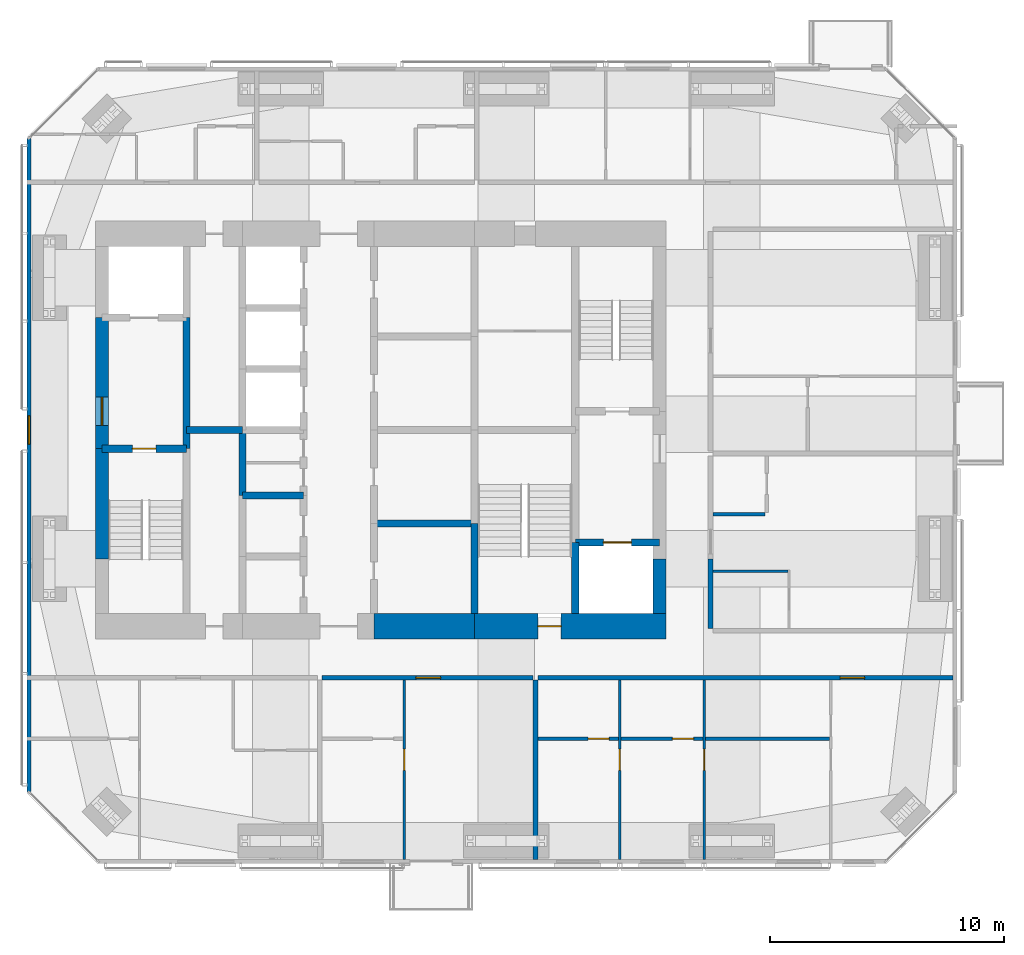
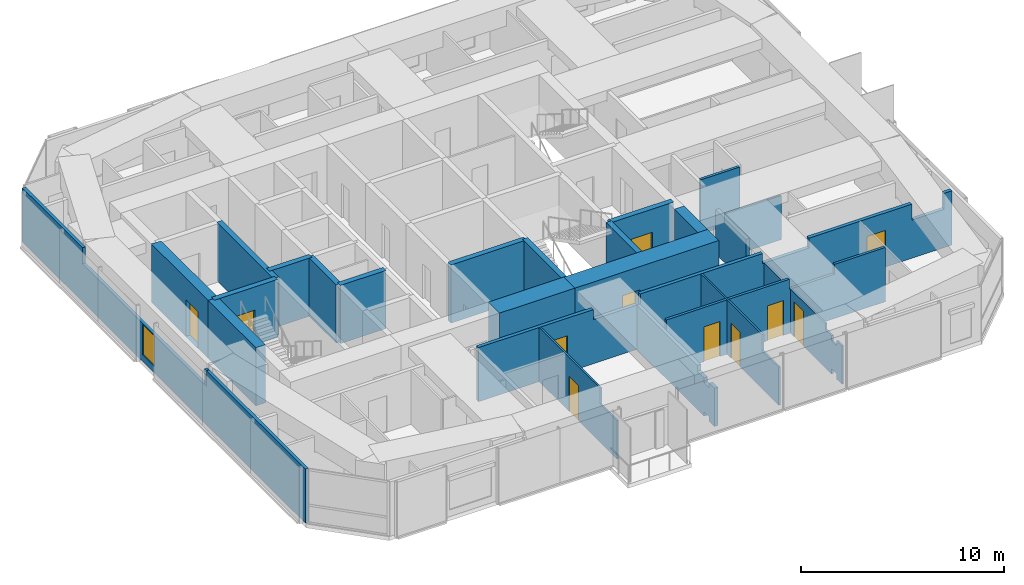
# One storey, part 13 of 18: 27 walls, 11 doors, 1 window, 12 openings.
"""IFC4 building model written with IfcOpenShell, lengths in metres."""

from ifc_helpers import new_model, si_unit, direction, frame, frame_2d, origin, place, context, subcontext, project, spatial, polyline, rectangle, outline, extrude, material, layer, layer_set, constituent, constituent_set, type_object, element, fill, save


model = new_model("IFC4")

# Units and contexts
model_context = context("Model", 3, precision=1e-05, world=origin(), true_north=direction((0.0, 1.0)))
body_context = subcontext(model_context, "Body", "Model", "MODEL_VIEW")
ifc_project = project(units=[si_unit("LENGTHUNIT", "METRE"), si_unit("AREAUNIT", "SQUARE_METRE"), si_unit("VOLUMEUNIT", "CUBIC_METRE"), si_unit("PLANEANGLEUNIT", "RADIAN"), si_unit("MASSUNIT", "GRAM", prefix="KILO")], contexts=[model_context])

# Site, building, storey
site_placement = place(None, origin())
site = spatial("IfcSite", under=ifc_project, at=site_placement, CompositionType="ELEMENT")
building_placement = place(site_placement, origin())
building = spatial("IfcBuilding", under=site, at=building_placement, Name="Jalousie Tower", CompositionType="ELEMENT")
storey_placement = place(building_placement, frame((0.0, 0.0, 231.949951171875)))
storey = spatial("IfcBuildingStorey", under=building, at=storey_placement, Name="L63", CompositionType="ELEMENT", Elevation=231.949951171875)

# Wall, opening, door
ifc_material_1 = material(Name="Concrete block ASTM C90", Category="concrete")
ifc_constituent_1 = constituent(ifc_material_1, Name="Body")
ifc_material_2 = material(Name="Render")
ifc_constituent_2 = constituent(ifc_material_2, Name="Finish")
ifc_constituent_set_1 = constituent_set(constituents=[ifc_constituent_1, ifc_constituent_2])
wall_type_1 = type_object("IfcWallType", Name="BATHROOM WALL 150", PredefinedType="PLUMBINGWALL", material=ifc_constituent_set_1)
wall_1_placement = place(storey_placement, frame((38.60009765625, 5.324951171875, 0.0), z_axis=(0.0, 0.0, 1.0), x_axis=(1.0, 0.0, 0.0)))
wall_1 = element("IfcWall", 1, at=wall_1_placement, inside=storey, type_object=wall_type_1, Name="Bathroom Wall 150 L63", PredefinedType="PLUMBINGWALL", context=body_context, shape_type="SweptSolid", body=[
    extrude(rectangle(XDim=3.449951171875, YDim=0.14990234375, at=frame_2d((1.72509765625, 0.0))), origin(), (0.0, 0.0, 1.0), 3.260009765625),
])
opening_1_placement = place(wall_1_placement, frame((2.14990234375, 0.0, 0.0)))
opening_1 = element("IfcOpeningElement", 2, at=opening_1_placement, cuts=wall_1, Name="Opening D3", PredefinedType="OPENING", context=body_context, shape_type="SweptSolid", body=[
    extrude(rectangle(XDim=0.89990234375, YDim=2.10009765625, at=frame_2d((0.449951171875, 1.050048828125))), frame((0.0, 0.0849609375, 0.0), z_axis=(0.0, -1.0, 0.0), x_axis=(1.0, 0.0, 0.0)), (0.0, 0.0, 1.0), 0.169921875),
])
ifc_material_3 = material(Name="Timber door", Category="wood")
door_type_1 = type_object("IfcDoorType", Name="BATHROOM DOOR 900", OperationType="SINGLE_SWING_LEFT", PredefinedType="DOOR", material=ifc_material_3)
door_1_placement = place(opening_1_placement, origin())
door_1 = element("IfcDoor", 3, at=door_1_placement, inside=storey, type_object=door_type_1, Name="Apartment 6303 bedroom 1 bathroom door", OperationType="SINGLE_SWING_RIGHT", OverallHeight=2.10009765625, OverallWidth=0.89990234375, PredefinedType="DOOR", context=body_context, shape_type="SweptSolid", body=[
    extrude(rectangle(XDim=0.89990234375, YDim=2.10009765625, at=frame_2d((0.449951171875, 1.050048828125))), frame((0.0, 0.02490234375, 0.0), z_axis=(0.0, -1.0, 0.0), x_axis=(1.0, 0.0, 0.0)), (0.0, 0.0, 1.0), 0.050048828125),
])
fill(opening_1, door_1)

wall_2_placement = place(storey_placement, frame((42.14990234375, 5.324951171875, 0.0), z_axis=(0.0, 0.0, 1.0), x_axis=(1.0, 0.0, 0.0)))
wall_2 = element("IfcWall", 4, at=wall_2_placement, inside=storey, type_object=wall_type_1, Name="Bathroom Wall 150 L63", PredefinedType="PLUMBINGWALL", context=body_context, shape_type="SweptSolid", body=[
    extrude(outline(polyline([(0.0, 0.0), (3.5, 0.0), (3.5, 3.260009765625), (3.5, 2.66015625), (3.43994140625, 2.66015625), (3.43994140625, 3.260009765625), (0.0, 3.260009765625), (0.0, 0.0)])), frame((0.0, 0.074951171875, 0.0), z_axis=(0.0, -1.0, 0.0), x_axis=(1.0, 0.0, 0.0)), (0.0, 0.0, 1.0), 0.14990234375),
])
opening_2_placement = place(wall_2_placement, frame((2.199951171875, 0.0, 0.0)))
opening_2 = element("IfcOpeningElement", 5, at=opening_2_placement, cuts=wall_2, Name="Opening D3", PredefinedType="OPENING", context=body_context, shape_type="SweptSolid", body=[
    extrude(rectangle(XDim=0.89990234375, YDim=2.10009765625, at=frame_2d((0.449951171875, 1.050048828125))), frame((0.0, 0.0849609375, 0.0), z_axis=(0.0, -1.0, 0.0), x_axis=(1.0, 0.0, 0.0)), (0.0, 0.0, 1.0), 0.169921875),
])
door_2_placement = place(opening_2_placement, origin())
door_2 = element("IfcDoor", 6, at=door_2_placement, inside=storey, type_object=door_type_1, Name="Apartment 6303 bedroom 2 bathroom door", OperationType="SINGLE_SWING_RIGHT", OverallHeight=2.10009765625, OverallWidth=0.89990234375, PredefinedType="DOOR", context=body_context, shape_type="SweptSolid", body=[
    extrude(rectangle(XDim=0.89990234375, YDim=2.10009765625, at=frame_2d((0.449951171875, 1.050048828125))), frame((0.0, 0.02490234375, 0.0), z_axis=(0.0, -1.0, 0.0), x_axis=(1.0, 0.0, 0.0)), (0.0, 0.0, 1.0), 0.050048828125),
])
fill(opening_2, door_2)

# Walls
wall_3_placement = place(storey_placement, frame((45.75, 5.324951171875, 0.0), z_axis=(0.0, 0.0, 1.0), x_axis=(1.0, 0.0, 0.0)))
element("IfcWall", 7, at=wall_3_placement, inside=storey, type_object=wall_type_1, Name="Bathroom Wall 150 L63", PredefinedType="PLUMBINGWALL", context=body_context, shape_type="SweptSolid", body=[
    extrude(outline(polyline([(0.0, 0.0), (5.300048828125, 0.0), (5.300048828125, 3.260009765625), (2.409912109375, 3.260009765625), (2.409912109375, 2.66015625), (0.0, 2.66015625), (0.0, 3.260009765625), (0.0, 0.0)])), frame((0.0, 0.074951171875, 0.0), z_axis=(0.0, -1.0, 0.0), x_axis=(1.0, 0.0, 0.0)), (0.0, 0.0, 1.0), 0.14990234375),
])
wall_4_placement = place(storey_placement, frame((48.300048828125, 14.89990234375, 0.0), z_axis=(0.0, 0.0, 1.0), x_axis=(-1.0, 0.0, 0.0)))
element("IfcWall", 8, at=wall_4_placement, inside=storey, type_object=wall_type_1, Name="Bathroom Wall 150 L63", PredefinedType="PLUMBINGWALL", context=body_context, shape_type="SweptSolid", body=[
    extrude(rectangle(XDim=2.22509765625, YDim=0.14990234375, at=frame_2d((1.112548828125, 0.0))), origin(), (0.0, 0.0, 1.0), 3.260009765625),
])
ifc_material_4 = material(Name="Concrete f'c 120 MPa", Category="concrete")
ifc_layer_1 = layer(ifc_material_4, 1.10009765625)
ifc_layer_set_1 = layer_set([ifc_layer_1], Name="Concrete f'c 120 MPa")
wall_type_2 = type_object("IfcWallType", Name="CORE WALL 1100", PredefinedType="SHEAR", material=ifc_layer_set_1)
wall_5_placement = place(storey_placement, frame((31.60009765625, 10.125, 0.0), z_axis=(0.0, 0.0, 1.0), x_axis=(1.0, 0.0, 0.0)))
element("IfcWall", 9, at=wall_5_placement, inside=storey, type_object=wall_type_2, Name="Core wall SC L63", PredefinedType="SHEAR", context=body_context, shape_type="SweptSolid", body=[
    extrude(rectangle(XDim=4.2998046875, YDim=1.10009765625, at=frame_2d((2.14990234375, 0.0))), origin(), (0.0, 0.0, 1.0), 3.5),
])

# Wall, opening, door
wall_6_placement = place(storey_placement, frame((35.89990234375, 10.125, 0.0), z_axis=(0.0, 0.0, 1.0), x_axis=(1.0, 0.0, 0.0)))
wall_6 = element("IfcWall", 10, at=wall_6_placement, inside=storey, type_object=wall_type_2, Name="Core wall SD L63", PredefinedType="SHEAR", context=body_context, shape_type="SweptSolid", body=[
    extrude(rectangle(XDim=8.175048828125, YDim=1.10009765625, at=frame_2d((4.08740234375, 0.0))), origin(), (0.0, 0.0, 1.0), 3.5),
])
opening_3_placement = place(wall_6_placement, frame((2.699951171875, 0.0, 0.0)))
opening_3 = element("IfcOpeningElement", 11, at=opening_3_placement, cuts=wall_6, Name="Opening D10", PredefinedType="OPENING", context=body_context, shape_type="SweptSolid", body=[
    extrude(rectangle(XDim=1.0, YDim=2.10009765625, at=frame_2d((0.5, 1.050048828125))), frame((0.0, 0.56005859375, 0.0), z_axis=(0.0, -1.0, 0.0), x_axis=(1.0, 0.0, 0.0)), (0.0, 0.0, 1.0), 1.1201171875),
])
ifc_material_5 = material(Name="Steel fire door", Category="steel")
door_type_2 = type_object("IfcDoorType", Name="STAIR DOOR 1000", OperationType="SINGLE_SWING_LEFT", PredefinedType="DOOR", material=ifc_material_5)
door_3_placement = place(opening_3_placement, origin())
door_3 = element("IfcDoor", 12, at=door_3_placement, inside=storey, type_object=door_type_2, Name="Exit stair C door", OperationType="SINGLE_SWING_RIGHT", OverallHeight=2.10009765625, OverallWidth=1.0, PredefinedType="DOOR", context=body_context, shape_type="SweptSolid", body=[
    extrude(rectangle(XDim=1.0, YDim=2.10009765625, at=frame_2d((0.5, 1.050048828125))), frame((0.0, 0.02490234375, 0.0), z_axis=(0.0, -1.0, 0.0), x_axis=(1.0, 0.0, 0.0)), (0.0, 0.0, 1.0), 0.050048828125),
])
fill(opening_3, door_3)

# Walls
ifc_material_6 = material(Name="Concrete f'c 120 MPa", Category="concrete")
ifc_layer_2 = layer(ifc_material_6, 0.300048828125)
ifc_layer_set_2 = layer_set([ifc_layer_2], Name="Concrete f'c 120 MPa")
wall_type_3 = type_object("IfcWallType", Name="CORE WALL 300", PredefinedType="SHEAR", material=ifc_layer_set_2)
wall_7_placement = place(storey_placement, frame((23.60009765625, 17.699951171875, 0.0), z_axis=(0.0, 0.0, 1.0), x_axis=(0.0, 1.0, 0.0)))
element("IfcWall", 13, at=wall_7_placement, inside=storey, type_object=wall_type_3, Name="Core wall X23.6B L63", PredefinedType="SHEAR", context=body_context, shape_type="SweptSolid", body=[
    extrude(rectangle(XDim=5.60009765625, YDim=0.300048828125, at=frame_2d((2.800048828125, 0.0))), origin(), (0.0, 0.0, 1.0), 3.5),
])
wall_8_placement = place(storey_placement, frame((26.0, 15.699951171875, 0.0), z_axis=(0.0, 0.0, 1.0), x_axis=(0.0, 1.0, 0.0)))
element("IfcWall", 14, at=wall_8_placement, inside=storey, type_object=wall_type_3, Name="Core wall X26C L63", PredefinedType="SHEAR", context=body_context, shape_type="SweptSolid", body=[
    extrude(rectangle(XDim=2.800048828125, YDim=0.300048828125, at=frame_2d((1.39990234375, 0.0))), origin(), (0.0, 0.0, 1.0), 3.5),
])
wall_9_placement = place(storey_placement, frame((35.89990234375, 10.675048828125, 0.0), z_axis=(0.0, 0.0, 1.0), x_axis=(0.0, 1.0, 0.0)))
element("IfcWall", 15, at=wall_9_placement, inside=storey, type_object=wall_type_3, Name="Core wall X35.9A L63", PredefinedType="SHEAR", context=body_context, shape_type="SweptSolid", body=[
    extrude(rectangle(XDim=3.824951171875, YDim=0.300048828125, at=frame_2d((1.91259765625, 0.0))), origin(), (0.0, 0.0, 1.0), 3.5),
])
wall_10_placement = place(storey_placement, frame((40.199951171875, 10.675048828125, 0.0), z_axis=(0.0, 0.0, 1.0), x_axis=(0.0, 1.0, 0.0)))
element("IfcWall", 16, at=wall_10_placement, inside=storey, type_object=wall_type_3, Name="Core wall X40.2A L63", PredefinedType="SHEAR", context=body_context, shape_type="SweptSolid", body=[
    extrude(rectangle(XDim=3.02490234375, YDim=0.300048828125, at=frame_2d((1.512451171875, 0.0))), origin(), (0.0, 0.0, 1.0), 3.5),
])

# Wall, opening, door
wall_11_placement = place(storey_placement, frame((20.0, 17.699951171875, 0.0), z_axis=(0.0, 0.0, 1.0), x_axis=(1.0, 0.0, 0.0)))
wall_11 = element("IfcWall", 17, at=wall_11_placement, inside=storey, type_object=wall_type_3, Name="Core wall Y20-17.7 L63", PredefinedType="SHEAR", context=body_context, shape_type="SweptSolid", body=[
    extrude(rectangle(XDim=3.60009765625, YDim=0.300048828125, at=frame_2d((1.800048828125, 0.0))), origin(), (0.0, 0.0, 1.0), 3.5),
])
opening_4_placement = place(wall_11_placement, frame((1.300048828125, 0.0, 0.0)))
opening_4 = element("IfcOpeningElement", 18, at=opening_4_placement, cuts=wall_11, Name="Opening D10", PredefinedType="OPENING", context=body_context, shape_type="SweptSolid", body=[
    extrude(rectangle(XDim=1.0, YDim=2.10009765625, at=frame_2d((0.5, 1.050048828125))), frame((0.0, 0.159912109375, 0.0), z_axis=(0.0, -1.0, 0.0), x_axis=(1.0, 0.0, 0.0)), (0.0, 0.0, 1.0), 0.320068359375),
])
door_4_placement = place(opening_4_placement, frame((1.0, 0.0, 0.0), z_axis=(0.0, 0.0, 1.0), x_axis=(-1.0, 0.0, 0.0)))
door_4 = element("IfcDoor", 19, at=door_4_placement, inside=storey, type_object=door_type_2, Name="Exit stair A door", OperationType="SINGLE_SWING_RIGHT", OverallHeight=2.10009765625, OverallWidth=1.0, PredefinedType="DOOR", context=body_context, shape_type="SweptSolid", body=[
    extrude(rectangle(XDim=1.0, YDim=2.10009765625, at=frame_2d((0.5, 1.050048828125))), frame((0.0, 0.02490234375, 0.0), z_axis=(0.0, -1.0, 0.0), x_axis=(1.0, 0.0, 0.0)), (0.0, 0.0, 1.0), 0.050048828125),
])
fill(opening_4, door_4)

# Walls
wall_12_placement = place(storey_placement, frame((23.60009765625, 18.5, 0.0), z_axis=(0.0, 0.0, 1.0), x_axis=(1.0, 0.0, 0.0)))
element("IfcWall", 20, at=wall_12_placement, inside=storey, type_object=wall_type_3, Name="Core wall Y23.6-18.5 L63", PredefinedType="SHEAR", context=body_context, shape_type="SweptSolid", body=[
    extrude(rectangle(XDim=2.39990234375, YDim=0.300048828125, at=frame_2d((1.199951171875, 0.0))), origin(), (0.0, 0.0, 1.0), 3.5),
])
wall_13_placement = place(storey_placement, frame((26.0, 15.699951171875, 0.0), z_axis=(0.0, 0.0, 1.0), x_axis=(1.0, 0.0, 0.0)))
element("IfcWall", 21, at=wall_13_placement, inside=storey, type_object=wall_type_3, Name="Core wall Y26-15.7 L63", PredefinedType="SHEAR", context=body_context, shape_type="SweptSolid", body=[
    extrude(rectangle(XDim=2.60009765625, YDim=0.300048828125, at=frame_2d((1.300048828125, 0.0))), origin(), (0.0, 0.0, 1.0), 3.5),
])
wall_14_placement = place(storey_placement, frame((31.60009765625, 14.5, 0.0), z_axis=(0.0, 0.0, 1.0), x_axis=(1.0, 0.0, 0.0)))
element("IfcWall", 22, at=wall_14_placement, inside=storey, type_object=wall_type_3, Name="Core wall Y31.6-14.5 L63", PredefinedType="SHEAR", context=body_context, shape_type="SweptSolid", body=[
    extrude(rectangle(XDim=4.2998046875, YDim=0.300048828125, at=frame_2d((2.14990234375, 0.0))), origin(), (0.0, 0.0, 1.0), 3.5),
])

# Wall, opening, door
wall_15_placement = place(storey_placement, frame((40.199951171875, 13.699951171875, 0.0), z_axis=(0.0, 0.0, 1.0), x_axis=(1.0, 0.0, 0.0)))
wall_15 = element("IfcWall", 23, at=wall_15_placement, inside=storey, type_object=wall_type_3, Name="Core wall Y40.2-13.7 L63", PredefinedType="SHEAR", context=body_context, shape_type="SweptSolid", body=[
    extrude(rectangle(XDim=3.60009765625, YDim=0.300048828125, at=frame_2d((1.800048828125, 0.0))), origin(), (0.0, 0.0, 1.0), 3.5),
])
opening_5_placement = place(wall_15_placement, frame((1.199951171875, 0.0, 0.0)))
opening_5 = element("IfcOpeningElement", 24, at=opening_5_placement, cuts=wall_15, Name="Opening LD2", PredefinedType="OPENING", context=body_context, shape_type="SweptSolid", body=[
    extrude(rectangle(XDim=1.199951171875, YDim=2.10009765625, at=frame_2d((0.60009765625, 1.050048828125))), frame((0.0, 0.159912109375, 0.0), z_axis=(0.0, -1.0, 0.0), x_axis=(1.0, 0.0, 0.0)), (0.0, 0.0, 1.0), 0.320068359375),
])
ifc_material_7 = material(Name="Steel lift landing door", Category="steel")
door_type_3 = type_object("IfcDoorType", Name="LIFT LANDING DOOR 1200", OperationType="SLIDING_TO_LEFT", PredefinedType="DOOR", material=ifc_material_7)
door_5_placement = place(opening_5_placement, origin())
door_5 = element("IfcDoor", 25, at=door_5_placement, inside=storey, type_object=door_type_3, Name="Lift F2 landing door", OperationType="SLIDING_TO_LEFT", OverallHeight=2.10009765625, OverallWidth=1.199951171875, PredefinedType="DOOR", context=body_context, shape_type="SweptSolid", body=[
    extrude(rectangle(XDim=1.199951171875, YDim=2.10009765625, at=frame_2d((0.60009765625, 1.050048828125))), frame((0.0, 0.02490234375, 0.0), z_axis=(0.0, -1.0, 0.0), x_axis=(1.0, 0.0, 0.0)), (0.0, 0.0, 1.0), 0.050048828125),
])
fill(opening_5, door_5)

ifc_material_8 = material(Name="Concrete f'c 120 MPa", Category="concrete")
ifc_layer_3 = layer(ifc_material_8, 0.550048828125)
ifc_layer_set_3 = layer_set([ifc_layer_3], Name="Concrete f'c 120 MPa")
wall_type_4 = type_object("IfcWallType", Name="CORE WALL 550", PredefinedType="SHEAR", material=ifc_layer_set_3)
wall_16_placement = place(storey_placement, frame((20.0, 23.300048828125, 0.0), z_axis=(0.0, 0.0, 1.0), x_axis=(0.0, -1.0, 0.0)))
wall_16 = element("IfcWall", 26, at=wall_16_placement, inside=storey, type_object=wall_type_4, Name="Core wall WB L63", PredefinedType="SHEAR", context=body_context, shape_type="SweptSolid", body=[
    extrude(rectangle(XDim=5.60009765625, YDim=0.550048828125, at=frame_2d((2.800048828125, 0.0))), origin(), (0.0, 0.0, 1.0), 3.5),
])
opening_6_placement = place(wall_16_placement, frame((3.39990234375, 0.0, 0.0)))
opening_6 = element("IfcOpeningElement", 27, at=opening_6_placement, cuts=wall_16, Name="Opening D11", PredefinedType="OPENING", context=body_context, shape_type="SweptSolid", body=[
    extrude(rectangle(XDim=1.199951171875, YDim=2.199951171875, at=frame_2d((0.60009765625, 1.10009765625))), frame((0.0, 0.284912109375, 0.0), z_axis=(0.0, -1.0, 0.0), x_axis=(1.0, 0.0, 0.0)), (0.0, 0.0, 1.0), 0.570068359375),
])
ifc_material_9 = material(Name="Steel fire door", Category="steel")
door_type_4 = type_object("IfcDoorType", Name="FIRE DOOR 1200", OperationType="SINGLE_SWING_LEFT", PredefinedType="DOOR", material=ifc_material_9)
door_6_placement = place(opening_6_placement, origin())
door_6 = element("IfcDoor", 28, at=door_6_placement, inside=storey, type_object=door_type_4, Name="Fire-fighting lobby A door", OperationType="SINGLE_SWING_RIGHT", OverallHeight=2.199951171875, OverallWidth=1.199951171875, PredefinedType="DOOR", context=body_context, shape_type="SweptSolid", body=[
    extrude(rectangle(XDim=1.199951171875, YDim=2.199951171875, at=frame_2d((0.60009765625, 1.10009765625))), frame((0.0, 0.02490234375, 0.0), z_axis=(0.0, -1.0, 0.0), x_axis=(1.0, 0.0, 0.0)), (0.0, 0.0, 1.0), 0.050048828125),
])
fill(opening_6, door_6)

# Walls
wall_17_placement = place(storey_placement, frame((20.0, 17.699951171875, 0.0), z_axis=(0.0, 0.0, 1.0), x_axis=(0.0, -1.0, 0.0)))
element("IfcWall", 29, at=wall_17_placement, inside=storey, type_object=wall_type_4, Name="Core wall WC L63", PredefinedType="SHEAR", context=body_context, shape_type="SweptSolid", body=[
    extrude(rectangle(XDim=4.699951171875, YDim=0.550048828125, at=frame_2d((2.35009765625, 0.0))), origin(), (0.0, 0.0, 1.0), 3.5),
])
wall_18_placement = place(storey_placement, frame((43.800048828125, 10.675048828125, 0.0), z_axis=(0.0, 0.0, 1.0), x_axis=(0.0, 1.0, 0.0)))
element("IfcWall", 30, at=wall_18_placement, inside=storey, type_object=wall_type_4, Name="Core wall EA L63", PredefinedType="SHEAR", context=body_context, shape_type="SweptSolid", body=[
    extrude(rectangle(XDim=2.324951171875, YDim=0.550048828125, at=frame_2d((1.16259765625, 0.0))), origin(), (0.0, 0.0, 1.0), 3.5),
])

# Wall, opening, door
ifc_material_10 = material(Name="Concrete block ASTM C90", Category="concrete")
ifc_constituent_3 = constituent(ifc_material_10, Name="Body")
ifc_material_11 = material(Name="Render")
ifc_constituent_4 = constituent(ifc_material_11, Name="Finish")
ifc_constituent_set_2 = constituent_set(constituents=[ifc_constituent_3, ifc_constituent_4])
wall_type_5 = type_object("IfcWallType", Name="CORRIDOR WALL 200", PredefinedType="PARTITIONING", material=ifc_constituent_set_2)
wall_19_placement = place(storey_placement, frame((29.39990234375, 7.925048828125, 0.0), z_axis=(0.0, 0.0, 1.0), x_axis=(1.0, 0.0, 0.0)))
wall_19 = element("IfcWall", 31, at=wall_19_placement, inside=storey, type_object=wall_type_5, Name="Corridor Wall 200 L63", PredefinedType="PARTITIONING", context=body_context, shape_type="SweptSolid", body=[
    extrude(outline(polyline([(0.0, 0.0), (9.0, 0.0), (9.0, 3.260009765625), (9.0, 2.66015625), (6.5400390625, 2.66015625), (6.5400390625, 3.260009765625), (0.0, 3.260009765625), (0.0, 0.0)])), frame((0.0, 0.10009765625, 0.0), z_axis=(0.0, -1.0, 0.0), x_axis=(1.0, 0.0, 0.0)), (0.0, 0.0, 1.0), 0.199951171875),
])
opening_7_placement = place(wall_19_placement, frame((4.0, 0.0, 0.0)))
opening_7 = element("IfcOpeningElement", 32, at=opening_7_placement, cuts=wall_19, Name="Opening D1", PredefinedType="OPENING", context=body_context, shape_type="SweptSolid", body=[
    extrude(rectangle(XDim=1.050048828125, YDim=2.199951171875, at=frame_2d((0.52490234375, 1.10009765625))), frame((0.0, 0.10986328125, 0.0), z_axis=(0.0, -1.0, 0.0), x_axis=(1.0, 0.0, 0.0)), (0.0, 0.0, 1.0), 0.219970703125),
])
ifc_material_12 = material(Name="Timber fire door", Category="wood")
door_type_5 = type_object("IfcDoorType", Name="APARTMENT ENTRANCE DOOR 1050", OperationType="SINGLE_SWING_LEFT", PredefinedType="DOOR", material=ifc_material_12)
door_7_placement = place(opening_7_placement, frame((1.050048828125, 0.0, 0.0), z_axis=(0.0, 0.0, 1.0), x_axis=(-1.0, 0.0, 0.0)))
door_7 = element("IfcDoor", 33, at=door_7_placement, inside=storey, type_object=door_type_5, Name="Apartment 6302 entrance", OperationType="SINGLE_SWING_RIGHT", OverallHeight=2.199951171875, OverallWidth=1.050048828125, PredefinedType="DOOR", context=body_context, shape_type="SweptSolid", body=[
    extrude(rectangle(XDim=1.050048828125, YDim=2.199951171875, at=frame_2d((0.52490234375, 1.10009765625))), frame((0.0, 0.02490234375, 0.0), z_axis=(0.0, -1.0, 0.0), x_axis=(1.0, 0.0, 0.0)), (0.0, 0.0, 1.0), 0.050048828125),
])
fill(opening_7, door_7)

wall_20_placement = place(storey_placement, frame((38.60009765625, 7.925048828125, 0.0), z_axis=(0.0, 0.0, 1.0), x_axis=(1.0, 0.0, 0.0)))
wall_20 = element("IfcWall", 34, at=wall_20_placement, inside=storey, type_object=wall_type_5, Name="Corridor Wall 200 L63", PredefinedType="PARTITIONING", context=body_context, shape_type="SweptSolid", body=[
    extrude(outline(polyline([(0.0, 0.0), (17.724853515625, 0.0), (17.72509765625, 3.260009765625), (17.27490234375, 3.260009765625), (17.27490234375, 2.300048828125), (15.442626953125, 2.300048828125), (15.442626953125, 3.260009765625), (9.5849609375, 3.260009765625), (9.5849609375, 2.66015625), (6.965087890625, 2.66015625), (6.965087890625, 3.260009765625), (0.0, 3.260009765625), (0.0, 0.0)])), frame((0.0, 0.10009765625, 0.0), z_axis=(0.0, -1.0, 0.0), x_axis=(1.0, 0.0, 0.0)), (0.0, 0.0, 1.0), 0.199951171875),
])
opening_8_placement = place(wall_20_placement, frame((12.89990234375, 0.0, 0.0)))
opening_8 = element("IfcOpeningElement", 35, at=opening_8_placement, cuts=wall_20, Name="Opening D1", PredefinedType="OPENING", context=body_context, shape_type="SweptSolid", body=[
    extrude(rectangle(XDim=1.050048828125, YDim=2.199951171875, at=frame_2d((0.52490234375, 1.10009765625))), frame((0.0, 0.10986328125, 0.0), z_axis=(0.0, -1.0, 0.0), x_axis=(1.0, 0.0, 0.0)), (0.0, 0.0, 1.0), 0.219970703125),
])
door_8_placement = place(opening_8_placement, frame((1.050048828125, 0.0, 0.0), z_axis=(0.0, 0.0, 1.0), x_axis=(-1.0, 0.0, 0.0)))
door_8 = element("IfcDoor", 36, at=door_8_placement, inside=storey, type_object=door_type_5, Name="Apartment 6303 entrance", OperationType="SINGLE_SWING_RIGHT", OverallHeight=2.199951171875, OverallWidth=1.050048828125, PredefinedType="DOOR", context=body_context, shape_type="SweptSolid", body=[
    extrude(rectangle(XDim=1.050048828125, YDim=2.199951171875, at=frame_2d((0.52490234375, 1.10009765625))), frame((0.0, 0.02490234375, 0.0), z_axis=(0.0, -1.0, 0.0), x_axis=(1.0, 0.0, 0.0)), (0.0, 0.0, 1.0), 0.050048828125),
])
fill(opening_8, door_8)

# Wall
wall_21_placement = place(storey_placement, frame((45.97509765625, 10.02490234375, 0.0), z_axis=(0.0, 0.0, 1.0), x_axis=(0.0, 1.0, 0.0)))
element("IfcWall", 37, at=wall_21_placement, inside=storey, type_object=wall_type_5, Name="Corridor Wall 200 L63-A", PredefinedType="PARTITIONING", context=body_context, shape_type="SweptSolid", body=[
    extrude(rectangle(XDim=2.97509765625, YDim=0.199951171875, at=frame_2d((1.487548828125, 0.0))), origin(), (0.0, 0.0, 1.0), 2.66015625),
])

# Wall, opening, window
ifc_material_13 = material(Name="Concrete f'c 40 MPa", Category="concrete")
ifc_constituent_5 = constituent(ifc_material_13, Name="Body")
ifc_material_14 = material(Name="Render, pastel sky blue")
ifc_constituent_6 = constituent(ifc_material_14, Name="Finish")
ifc_constituent_set_3 = constituent_set(constituents=[ifc_constituent_5, ifc_constituent_6])
wall_type_6 = type_object("IfcWallType", Name="EXTERNAL WALL 175 SKY BLUE RENDER", PredefinedType="SOLIDWALL", material=ifc_constituent_set_3)
wall_22_placement = place(storey_placement, frame((16.887451171875, 30.94873046875, 0.0), z_axis=(0.0, 0.0, 1.0), x_axis=(0.0, -1.0, 0.0)))
wall_22 = element("IfcWall", 38, at=wall_22_placement, inside=storey, type_object=wall_type_6, Name="External Wall 175 Sky Blue Render L63", PredefinedType="SOLIDWALL", context=body_context, shape_type="SweptSolid", body=[
    extrude(outline(polyline([(0.0, 0.0), (27.8974609375, 0.0), (27.8974609375, 3.260009765625), (18.1484375, 3.260009765625), (18.1484375, 2.300048828125), (18.125, 2.300048828125), (18.125, 3.260009765625), (17.94873046875, 3.260009765625), (17.94873046875, 2.300048828125), (5.94873046875, 2.300048828125), (5.94873046875, 3.260009765625), (0.0, 3.260009765625), (0.0, 0.0)])), frame((0.0, 0.08740234375, 0.0), z_axis=(0.0, -1.0, 0.0), x_axis=(1.0, 0.0, 0.0)), (0.0, 0.0, 1.0), 0.175048828125),
])
opening_9_placement = place(wall_22_placement, frame((11.8486328125, 0.0, 0.39990234375)))
opening_9 = element("IfcOpeningElement", 39, at=opening_9_placement, cuts=wall_22, Name="Opening W-COR185", PredefinedType="OPENING", context=body_context, shape_type="SweptSolid", body=[
    extrude(rectangle(XDim=1.199951171875, YDim=1.85009765625, at=frame_2d((0.60009765625, 0.925048828125))), frame((0.0, 0.097412109375, 0.0), z_axis=(0.0, -1.0, 0.0), x_axis=(1.0, 0.0, 0.0)), (0.0, 0.0, 1.0), 0.195068359375),
])
ifc_material_15 = material(Name="Aluminium frame, impact-rated glazing", Category="aluminium")
window_type = type_object("IfcWindowType", Name="WINDOW COR 1200x1850", PartitioningType="SINGLE_PANEL", PredefinedType="WINDOW", material=ifc_material_15)
window_placement = place(opening_9_placement, origin())
window = element("IfcWindow", 40, at=window_placement, inside=storey, type_object=window_type, Name="Corridor window", OverallHeight=1.85009765625, OverallWidth=1.199951171875, PartitioningType="SINGLE_PANEL", PredefinedType="WINDOW", context=body_context, shape_type="SweptSolid", body=[
    extrude(rectangle(XDim=1.199951171875, YDim=1.85009765625, at=frame_2d((0.60009765625, 0.925048828125))), frame((0.0, 0.030029296875, 0.0), z_axis=(0.0, -1.0, 0.0), x_axis=(1.0, 0.0, 0.0)), (0.0, 0.0, 1.0), 0.06005859375),
])
fill(opening_9, window)

# Wall, opening, door
ifc_material_16 = material(Name="Gypsum board", Category="gypsum")
ifc_constituent_7 = constituent(ifc_material_16, Name="Body")
ifc_material_17 = material(Name="Light-gauge steel studs ASTM A653 SS Grade 33", Category="steel")
ifc_constituent_8 = constituent(ifc_material_17, Name="Framing")
ifc_constituent_set_4 = constituent_set(constituents=[ifc_constituent_7, ifc_constituent_8])
wall_type_7 = type_object("IfcWallType", Name="PARTITION 100", PredefinedType="PARTITIONING", material=ifc_constituent_set_4)
wall_23_placement = place(storey_placement, frame((32.89990234375, 0.175048828125, 0.0), z_axis=(0.0, 0.0, 1.0), x_axis=(0.0, 1.0, 0.0)))
wall_23 = element("IfcWall", 41, at=wall_23_placement, inside=storey, type_object=wall_type_7, Name="Partition 100 L63", PredefinedType="PARTITIONING", context=body_context, shape_type="SweptSolid", body=[
    extrude(outline(polyline([(0.0, 0.0), (7.64990234375, 0.0), (7.64990234375, 3.260009765625), (1.635009765625, 3.260009765625), (1.635009765625, 2.300048828125), (0.0, 2.300048828125), (0.0, 3.260009765625), (0.0, 0.0)])), frame((0.0, 0.050048828125, 0.0), z_axis=(0.0, -1.0, 0.0), x_axis=(1.0, 0.0, 0.0)), (0.0, 0.0, 1.0), 0.10009765625),
])
opening_10_placement = place(wall_23_placement, frame((3.800048828125, 0.0, 0.0)))
opening_10 = element("IfcOpeningElement", 42, at=opening_10_placement, cuts=wall_23, Name="Opening D2", PredefinedType="OPENING", context=body_context, shape_type="SweptSolid", body=[
    extrude(rectangle(XDim=0.89990234375, YDim=2.10009765625, at=frame_2d((0.449951171875, 1.050048828125))), frame((0.0, 0.06005859375, 0.0), z_axis=(0.0, -1.0, 0.0), x_axis=(1.0, 0.0, 0.0)), (0.0, 0.0, 1.0), 0.1201171875),
])
ifc_material_18 = material(Name="Timber door", Category="wood")
door_type_6 = type_object("IfcDoorType", Name="BEDROOM DOOR 900", OperationType="SINGLE_SWING_LEFT", PredefinedType="DOOR", material=ifc_material_18)
door_9_placement = place(opening_10_placement, origin())
door_9 = element("IfcDoor", 43, at=door_9_placement, inside=storey, type_object=door_type_6, Name="Apartment 6302 bedroom 1 door", OperationType="SINGLE_SWING_RIGHT", OverallHeight=2.10009765625, OverallWidth=0.89990234375, PredefinedType="DOOR", context=body_context, shape_type="SweptSolid", body=[
    extrude(rectangle(XDim=0.89990234375, YDim=2.10009765625, at=frame_2d((0.449951171875, 1.050048828125))), frame((0.0, 0.02490234375, 0.0), z_axis=(0.0, -1.0, 0.0), x_axis=(1.0, 0.0, 0.0)), (0.0, 0.0, 1.0), 0.050048828125),
])
fill(opening_10, door_9)

wall_24_placement = place(storey_placement, frame((42.10009765625, 0.175048828125, 0.0), z_axis=(0.0, 0.0, 1.0), x_axis=(0.0, 1.0, 0.0)))
wall_24 = element("IfcWall", 44, at=wall_24_placement, inside=storey, type_object=wall_type_7, Name="Partition 100 L63", PredefinedType="PARTITIONING", context=body_context, shape_type="SweptSolid", body=[
    extrude(outline(polyline([(0.0, 0.0), (7.64990234375, 0.0), (7.64990234375, 3.260009765625), (1.635009765625, 3.260009765625), (1.635009765625, 2.300048828125), (0.0, 2.300048828125), (0.0, 3.260009765625), (0.0, 0.0)])), frame((0.0, 0.050048828125, 0.0), z_axis=(0.0, -1.0, 0.0), x_axis=(1.0, 0.0, 0.0)), (0.0, 0.0, 1.0), 0.10009765625),
])
opening_11_placement = place(wall_24_placement, frame((3.800048828125, 0.0, 0.0)))
opening_11 = element("IfcOpeningElement", 45, at=opening_11_placement, cuts=wall_24, Name="Opening D2", PredefinedType="OPENING", context=body_context, shape_type="SweptSolid", body=[
    extrude(rectangle(XDim=0.89990234375, YDim=2.10009765625, at=frame_2d((0.449951171875, 1.050048828125))), frame((0.0, 0.06005859375, 0.0), z_axis=(0.0, -1.0, 0.0), x_axis=(1.0, 0.0, 0.0)), (0.0, 0.0, 1.0), 0.1201171875),
])
door_10_placement = place(opening_11_placement, origin())
door_10 = element("IfcDoor", 46, at=door_10_placement, inside=storey, type_object=door_type_6, Name="Apartment 6303 bedroom 1 door", OperationType="SINGLE_SWING_RIGHT", OverallHeight=2.10009765625, OverallWidth=0.89990234375, PredefinedType="DOOR", context=body_context, shape_type="SweptSolid", body=[
    extrude(rectangle(XDim=0.89990234375, YDim=2.10009765625, at=frame_2d((0.449951171875, 1.050048828125))), frame((0.0, 0.02490234375, 0.0), z_axis=(0.0, -1.0, 0.0), x_axis=(1.0, 0.0, 0.0)), (0.0, 0.0, 1.0), 0.050048828125),
])
fill(opening_11, door_10)

wall_25_placement = place(storey_placement, frame((45.699951171875, 0.175048828125, 0.0), z_axis=(0.0, 0.0, 1.0), x_axis=(0.0, 1.0, 0.0)))
wall_25 = element("IfcWall", 47, at=wall_25_placement, inside=storey, type_object=wall_type_7, Name="Partition 100 L63", PredefinedType="PARTITIONING", context=body_context, shape_type="SweptSolid", body=[
    extrude(outline(polyline([(0.52880859375, 2.300048828125), (0.0, 2.300048828125), (0.0, 0.0), (0.52880859375, 0.0), (0.52880859375, 0.309814453125), (1.021240234375, 0.309814453125), (1.021240234375, 0.0), (7.64990234375, 0.0), (7.64990234375, 2.66015625), (1.635009765625, 2.66015625), (1.635009765625, 2.300048828125), (1.021240234375, 2.300048828125), (1.021240234375, 1.990234375), (0.52880859375, 1.990234375), (0.52880859375, 2.300048828125)])), frame((0.0, 0.050048828125, 0.0), z_axis=(0.0, -1.0, 0.0), x_axis=(1.0, 0.0, 0.0)), (0.0, 0.0, 1.0), 0.10009765625),
])
opening_12_placement = place(wall_25_placement, frame((3.800048828125, 0.0, 0.0)))
opening_12 = element("IfcOpeningElement", 48, at=opening_12_placement, cuts=wall_25, Name="Opening D2", PredefinedType="OPENING", context=body_context, shape_type="SweptSolid", body=[
    extrude(rectangle(XDim=0.89990234375, YDim=2.10009765625, at=frame_2d((0.449951171875, 1.050048828125))), frame((0.0, 0.06005859375, 0.0), z_axis=(0.0, -1.0, 0.0), x_axis=(1.0, 0.0, 0.0)), (0.0, 0.0, 1.0), 0.1201171875),
])
door_11_placement = place(opening_12_placement, frame((0.89990234375, 0.0, 0.0), z_axis=(0.0, 0.0, 1.0), x_axis=(-1.0, 0.0, 0.0)))
door_11 = element("IfcDoor", 49, at=door_11_placement, inside=storey, type_object=door_type_6, Name="Apartment 6303 bedroom 2 door", OperationType="SINGLE_SWING_LEFT", OverallHeight=2.10009765625, OverallWidth=0.89990234375, PredefinedType="DOOR", context=body_context, shape_type="SweptSolid", body=[
    extrude(rectangle(XDim=0.89990234375, YDim=2.10009765625, at=frame_2d((0.449951171875, 1.050048828125))), frame((0.0, 0.02490234375, 0.0), z_axis=(0.0, -1.0, 0.0), x_axis=(1.0, 0.0, 0.0)), (0.0, 0.0, 1.0), 0.050048828125),
])
fill(opening_12, door_11)

# Walls
wall_26_placement = place(storey_placement, frame((46.074951171875, 12.47509765625, 0.0), z_axis=(0.0, 0.0, 1.0), x_axis=(1.0, 0.0, 0.0)))
element("IfcWall", 50, at=wall_26_placement, inside=storey, type_object=wall_type_7, Name="Partition 100 L63", PredefinedType="PARTITIONING", context=body_context, shape_type="SweptSolid", body=[
    extrude(outline(polyline([(0.0, 0.0), (3.199951171875, 0.0), (3.199951171875, 3.260009765625), (3.199951171875, 2.66015625), (2.06005859375, 2.66015625), (0.0, 2.66015625), (0.0, 3.260009765625), (0.0, 0.0)])), frame((0.0, 0.050048828125, 0.0), z_axis=(0.0, -1.0, 0.0), x_axis=(1.0, 0.0, 0.0)), (0.0, 0.0, 1.0), 0.10009765625),
])
ifc_material_19 = material(Name="Concrete block ASTM C90", Category="concrete")
ifc_constituent_9 = constituent(ifc_material_19, Name="Body")
ifc_material_20 = material(Name="Render")
ifc_constituent_10 = constituent(ifc_material_20, Name="Finish")
ifc_constituent_set_5 = constituent_set(constituents=[ifc_constituent_9, ifc_constituent_10])
wall_type_8 = type_object("IfcWallType", Name="PARTY WALL 200", PredefinedType="PARTITIONING", material=ifc_constituent_set_5)
wall_27_placement = place(storey_placement, frame((38.5, 0.175048828125, 0.0), z_axis=(0.0, 0.0, 1.0), x_axis=(0.0, 1.0, 0.0)))
element("IfcWall", 51, at=wall_27_placement, inside=storey, type_object=wall_type_8, Name="Party Wall 200 L63", PredefinedType="PARTITIONING", context=body_context, shape_type="SweptSolid", body=[
    extrude(outline(polyline([(0.52880859375, 2.300048828125), (0.0, 2.300048828125), (0.0, 0.0), (0.52880859375, 0.0), (0.52880859375, 0.28125), (1.021240234375, 0.28125), (1.021240234375, 0.0), (7.64990234375, 0.0), (7.64990234375, 2.66015625), (1.68505859375, 2.66015625), (1.68505859375, 2.300048828125), (1.021240234375, 2.300048828125), (1.021240234375, 2.01904296875), (0.52880859375, 2.01904296875), (0.52880859375, 2.300048828125)])), frame((0.0, 0.10009765625, 0.0), z_axis=(0.0, -1.0, 0.0), x_axis=(1.0, 0.0, 0.0)), (0.0, 0.0, 1.0), 0.199951171875),
])

save(model, "model.ifc")
